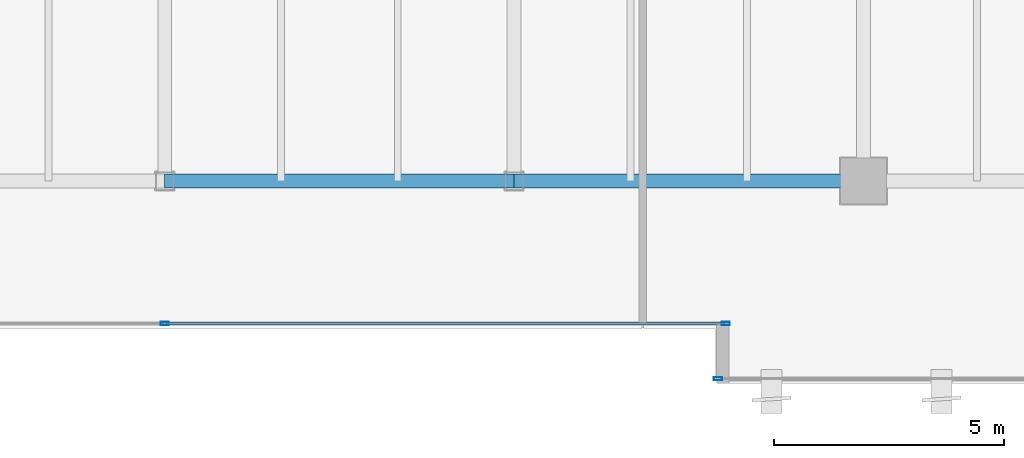
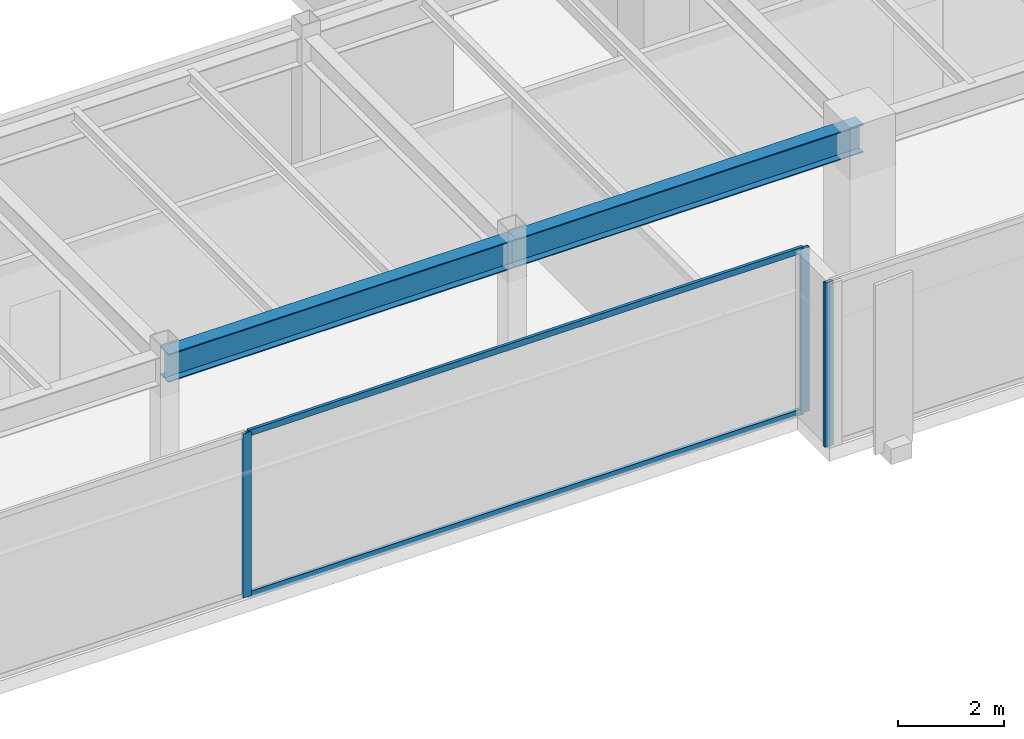
# One storey, part 11 of 35: 5 members, 2 beams, 2 elements without a shape of their own.
"""IFC4 building model written with IfcOpenShell, lengths in metres."""

from ifc_helpers import new_model, si_unit, direction, frame, origin, origin_2d, place, context, subcontext, project, spatial, hollow_rectangle, i_section, extrude, source, transform, mapped, material, layer, layer_set, material_profile, profile_set, type_object, type_shapes, element, aggregate, save


model = new_model("IFC4")

# Units and contexts
model_context = context("Model", 3, precision=1e-05, world=origin(), true_north=direction((0.0, 1.0)))
body_context = subcontext(model_context, "Body", "Model", "MODEL_VIEW")
ifc_project = project(units=[si_unit("LENGTHUNIT", "METRE"), si_unit("AREAUNIT", "SQUARE_METRE"), si_unit("VOLUMEUNIT", "CUBIC_METRE"), si_unit("PLANEANGLEUNIT", "RADIAN"), si_unit("MASSUNIT", "GRAM", prefix="KILO")], contexts=[model_context])

# Site, building, storey
site_placement = place(None, origin())
site = spatial("IfcSite", under=ifc_project, at=site_placement, CompositionType="ELEMENT")
building_placement = place(site_placement, origin())
building = spatial("IfcBuilding", under=site, at=building_placement, Name="Haelvirn Gate Laboratories", CompositionType="ELEMENT")
storey_placement = place(building_placement, frame((0.0, 0.0, 201.39990234375)))
storey = spatial("IfcBuildingStorey", under=building, at=storey_placement, Name="L48", CompositionType="ELEMENT", Elevation=201.39990234375)

# Beams
ifc_material_1 = material(Name="Steel SM355", Category="steel")
ifc_material_profile_1 = material_profile(ifc_material_1, i_section(OverallWidth=0.300048828125, OverallDepth=0.64990234375, WebThickness=0.012939453125, FlangeThickness=0.02197265625, at=origin_2d()), Name="H-650x300x13x22")
ifc_profile_set_1 = profile_set([ifc_material_profile_1], Name="Steel SM355")
beam_type = type_object("IfcBeamType", Name="BM-G-650", PredefinedType="BEAM", material=ifc_profile_set_1)
shared_shape_1 = source(origin(), body_context, "Body", "SweptSolid", [
    extrude(i_section(OverallWidth=0.300048828125, OverallDepth=0.64990234375, WebThickness=0.012939453125, FlangeThickness=0.02197265625, at=origin_2d()), origin(), (0.0, 0.0, 1.0), 7.60009765625),
])
type_shapes(beam_type, [shared_shape_1])
for number, where, z_axis, x_axis, name in (
    (1, (37.39990234375, 7.0, 3.47509765625), (1.0, 0.0, 0.0), (0.0, 1.0, 0.0), "L48 Primary Girder Y7.0 (37.4-45.0)"),
    (2, (45.0, 7.0, 3.47509765625), (1.0, 0.0, 0.0), (0.0, 1.0, 0.0), "L48 Primary Girder Y7.0 (45.0-52.6)"),
):
    element("IfcBeam", number, at=place(storey_placement, frame(where, z_axis=z_axis, x_axis=x_axis)), inside=storey, type_object=beam_type, Name=name, PredefinedType="BEAM", context=body_context, shape_type="MappedRepresentation", body=[
        mapped(shared_shape_1, transform((0.0, 0.0, 0.0), scale=1.0)),
    ])

# Curtain wall, members
ifc_material_2 = material(Name="Anodised bronze unitised aluminium & triple low-E glass", Category="aluminium")
ifc_layer = layer(ifc_material_2, 0.176025390625, Name="CW-SYS-4")
ifc_layer_set = layer_set([ifc_layer], Name="Anodised bronze unitised aluminium & triple low-E glass")
curtain_wall_type = type_object("IfcCurtainWallType", Name="CW-SYS-4", PredefinedType="NOTDEFINED", material=ifc_layer_set)
curtain_wall_1_placement = place(storey_placement, origin())
curtain_wall_1 = element("IfcCurtainWall", 3, at=curtain_wall_1_placement, inside=storey, type_object=curtain_wall_type, Name="L48 Unitised Curtain Wall CW-L48-P0-E02-1", PredefinedType="NOTDEFINED")
ifc_material_3 = material(Name="Extruded aluminium 6063-T6 (anodised bronze)", Category="aluminium")
ifc_material_profile_2 = material_profile(ifc_material_3, hollow_rectangle(XDim=0.06494140625, YDim=0.139892578125, WallThickness=0.00390625, at=origin_2d()), Name="CWT-140x65x4")
ifc_profile_set_2 = profile_set([ifc_material_profile_2], Name="Extruded aluminium 6063-T6 (anodised bronze)")
member_type_1 = type_object("IfcMemberType", Name="CWT-T140", PredefinedType="USERDEFINED", material=ifc_profile_set_2)
shared_shape_2 = source(origin(), body_context, "Body", "SweptSolid", [
    extrude(hollow_rectangle(XDim=0.06494140625, YDim=0.139892578125, WallThickness=0.00390625, at=origin_2d()), origin(), (0.0, 0.0, 1.0), 12.135009765625),
])
type_shapes(member_type_1, [shared_shape_2])
member_1_placement = place(storey_placement, frame((37.43505859375, 3.89990234375, 0.03271484375), z_axis=(1.0, 0.0, 0.0), x_axis=(0.0, 1.0, 0.0)))
member_1 = element("IfcMember", 4, at=member_1_placement, type_object=member_type_1, Name="CW4 transom 2.1", ObjectType="TRANSOM", PredefinedType="USERDEFINED", context=body_context, shape_type="MappedRepresentation", body=[
    mapped(shared_shape_2, transform((0.0, 0.0, 0.0), scale=1.0)),
])
member_2_placement = place(storey_placement, frame((37.43505859375, 3.89990234375, 3.767578125), z_axis=(1.0, 0.0, 0.0), x_axis=(0.0, 1.0, 0.0)))
member_2 = element("IfcMember", 5, at=member_2_placement, type_object=member_type_1, Name="CW4 transom 2.2", ObjectType="TRANSOM", PredefinedType="USERDEFINED", context=body_context, shape_type="MappedRepresentation", body=[
    mapped(shared_shape_2, transform((0.0, 0.0, 0.0), scale=1.0)),
])
ifc_material_profile_3 = material_profile(ifc_material_3, hollow_rectangle(XDim=0.070068359375, YDim=0.179931640625, WallThickness=0.0048828125, at=origin_2d()), Name="CWM-180x70x5")
ifc_profile_set_3 = profile_set([ifc_material_profile_3], Name="Extruded aluminium 6063-T6 (anodised bronze)")
member_type_2 = type_object("IfcMemberType", Name="CWM-T180", PredefinedType="MULLION", material=ifc_profile_set_3)
shared_shape_3 = source(origin(), body_context, "Body", "SweptSolid", [
    extrude(hollow_rectangle(XDim=0.070068359375, YDim=0.179931640625, WallThickness=0.0048828125, at=origin_2d()), origin(), (0.0, 0.0, 1.0), 3.800048828125),
])
type_shapes(member_type_2, [shared_shape_3])
member_3_placement = place(storey_placement, frame((37.39990234375, 3.89990234375, 0.0), z_axis=(0.0, 0.0, 1.0), x_axis=(0.0, 1.0, 0.0)))
member_3 = element("IfcMember", 6, at=member_3_placement, type_object=member_type_2, Name="CW4 mullion 2", PredefinedType="MULLION", context=body_context, shape_type="MappedRepresentation", body=[
    mapped(shared_shape_3, transform((0.0, 0.0, 0.0), scale=1.0)),
])
member_4_placement = place(storey_placement, frame((49.60498046875, 3.89990234375, 0.0), z_axis=(0.0, 0.0, 1.0), x_axis=(0.0, 1.0, 0.0)))
member_4 = element("IfcMember", 7, at=member_4_placement, type_object=member_type_2, Name="CW4 mullion 3", PredefinedType="MULLION", context=body_context, shape_type="MappedRepresentation", body=[
    mapped(shared_shape_3, transform((0.0, 0.0, 0.0), scale=1.0)),
])
aggregate(curtain_wall_1, [member_3, member_4, member_1, member_2])

# Curtain wall, member
curtain_wall_2_placement = place(storey_placement, origin())
curtain_wall_2 = element("IfcCurtainWall", 8, at=curtain_wall_2_placement, inside=storey, type_object=curtain_wall_type, Name="L48 Unitised Curtain Wall CW-L48-P0-E04-1", PredefinedType="NOTDEFINED")
member_5_placement = place(storey_placement, frame((49.43505859375, 2.699951171875, 0.0), z_axis=(0.0, 0.0, 1.0), x_axis=(0.0, 1.0, 0.0)))
member_5 = element("IfcMember", 9, at=member_5_placement, type_object=member_type_2, Name="CW4 mullion 1", PredefinedType="MULLION", context=body_context, shape_type="MappedRepresentation", body=[
    mapped(shared_shape_3, transform((0.0, 0.0, 0.0), scale=1.0)),
])
aggregate(curtain_wall_2, [member_5])

save(model, "model.ifc")
